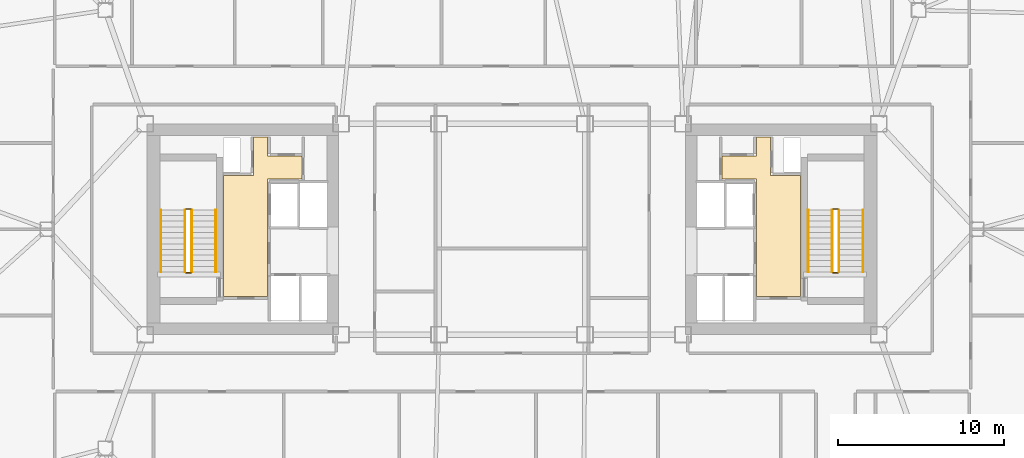
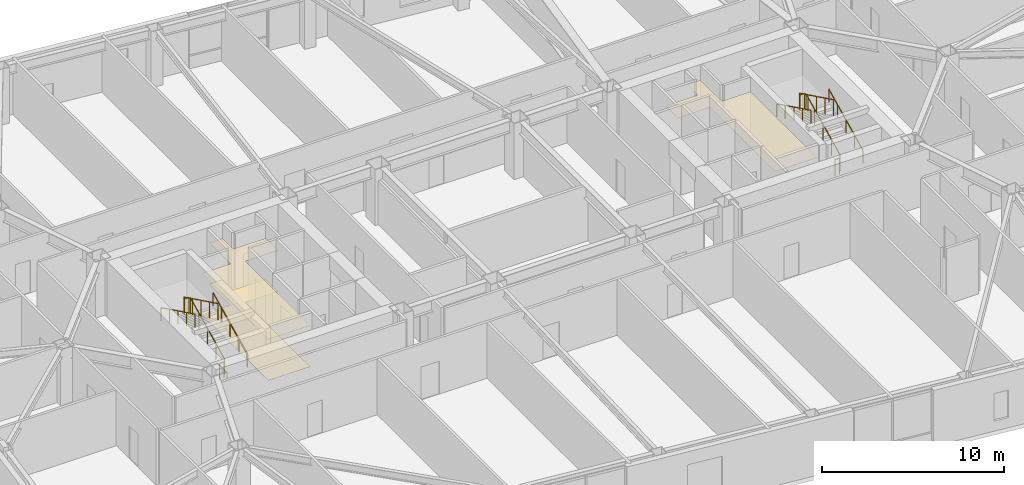
# One storey, part 23 of 23: 12 railings, 3 coverings.
"""IFC4 building model written with IfcOpenShell, lengths in metres."""

from ifc_helpers import new_model, si_unit, direction, frame, origin, origin_2d, place, context, subcontext, project, spatial, polyline, rectangle, outline, extrude, material, layer, layer_set, type_object, element, save


model = new_model("IFC4")

# Units and contexts
model_context = context("Model", 3, precision=1e-05, world=origin(), true_north=direction((0.0, 1.0)))
body_context = subcontext(model_context, "Body", "Model", "MODEL_VIEW")
ifc_project = project(units=[si_unit("LENGTHUNIT", "METRE"), si_unit("AREAUNIT", "SQUARE_METRE"), si_unit("VOLUMEUNIT", "CUBIC_METRE"), si_unit("PLANEANGLEUNIT", "RADIAN"), si_unit("MASSUNIT", "GRAM", prefix="KILO")], contexts=[model_context])

# Site, building, storey
site_placement = place(None, origin())
site = spatial("IfcSite", under=ifc_project, at=site_placement, CompositionType="ELEMENT")
building_placement = place(site_placement, origin())
building = spatial("IfcBuilding", under=site, at=building_placement, Name="Tavrogorsk Clinical Tower", CompositionType="ELEMENT")
storey_placement = place(building_placement, frame((0.0, 0.0, 113.39990234375)))
storey = spatial("IfcBuildingStorey", under=building, at=storey_placement, Name="L25", CompositionType="ELEMENT", Elevation=113.39990234375)

# Coverings
ifc_material_1 = material(Name="Antibacterial micro-perforated aluminium ceiling", Category="aluminium")
ifc_layer_1 = layer(ifc_material_1, 0.014892578125)
ifc_layer_set_1 = layer_set([ifc_layer_1], Name="Antibacterial micro-perforated aluminium ceiling")
covering_type_1 = type_object("IfcCoveringType", Name="ClinicalCeiling_15", PredefinedType="CEILING", material=ifc_layer_set_1)
covering_1_placement = place(storey_placement, frame((0.0, 0.0, 2.75)))
element("IfcCovering", 1, at=covering_1_placement, inside=storey, type_object=covering_type_1, Name="Core West Firefighting Lift Lobby Acoustic Ceiling", PredefinedType="CEILING", context=body_context, shape_type="SweptSolid", body=[
    extrude(outline(polyline([(-17.3798828125, -4.06005859375), (-17.3798828125, 3.239990234375), (-15.56005859375, 3.239990234375), (-15.56005859375, 5.56005859375), (-14.719970703125, 5.56005859375), (-14.719970703125, 4.39990234375), (-12.659912109375, 4.39990234375), (-12.659912109375, 3.0400390625), (-14.719970703125, 3.0400390625), (-14.719970703125, -4.06005859375), (-17.3798828125, -4.06005859375)])), origin(), (0.0, 0.0, 1.0), 0.01513671875),
])
covering_2_placement = place(storey_placement, frame((0.0, 0.0, 2.75)))
element("IfcCovering", 2, at=covering_2_placement, inside=storey, type_object=covering_type_1, Name="Core East Firefighting Lift Lobby Acoustic Ceiling", PredefinedType="CEILING", context=body_context, shape_type="SweptSolid", body=[
    extrude(outline(polyline([(14.719970703125, 3.0400390625), (12.659912109375, 3.0400390625), (12.659912109375, 4.39990234375), (14.719970703125, 4.39990234375), (14.719970703125, 5.56005859375), (15.56005859375, 5.56005859375), (15.56005859375, 3.239990234375), (17.3798828125, 3.239990234375), (17.3798828125, -4.06005859375), (14.719970703125, -4.06005859375), (14.719970703125, 3.0400390625)])), origin(), (0.0, 0.0, 1.0), 0.01513671875),
])
ifc_material_2 = material(Name="Homogeneous medical conductive PVC flooring")
ifc_layer_2 = layer(ifc_material_2, 0.008056640625)
ifc_layer_set_2 = layer_set([ifc_layer_2], Name="Homogeneous medical conductive PVC flooring")
covering_type_2 = type_object("IfcCoveringType", Name="ResilientVinylFloor_8", PredefinedType="FLOORING", material=ifc_layer_set_2)
covering_3_placement = place(storey_placement, origin())
element("IfcCovering", 3, at=covering_3_placement, inside=storey, type_object=covering_type_2, Name="Core West Firefighting Lift Lobby Conductive Vinyl Flooring", PredefinedType="FLOORING", context=body_context, shape_type="SweptSolid", body=[
    extrude(outline(polyline([(-17.3798828125, -4.06005859375), (-17.3798828125, 3.239990234375), (-15.56005859375, 3.239990234375), (-15.56005859375, 5.56005859375), (-14.719970703125, 5.56005859375), (-14.719970703125, 4.39990234375), (-12.659912109375, 4.39990234375), (-12.659912109375, 3.0400390625), (-14.719970703125, 3.0400390625), (-14.719970703125, -4.06005859375), (-17.3798828125, -4.06005859375)])), origin(), (0.0, 0.0, 1.0), 0.008056640625),
])

# Railings
ifc_material_3 = material(Name="Galvanised steel S355 safety stairwell guard", Category="steel")
ifc_layer_3 = layer(ifc_material_3, 0.06005859375)
ifc_layer_set_3 = layer_set([ifc_layer_3], Name="Galvanised steel S355 safety stairwell guard")
railing_type_1 = type_object("IfcRailingType", Name="StairGuard_1150", PredefinedType="GUARDRAIL", material=ifc_layer_set_3)
railing_1_placement = place(storey_placement, frame((-19.300048828125, -2.574951171875, 0.166748046875)))
element("IfcRailing", 4, at=railing_1_placement, inside=storey, type_object=railing_type_1, Name="L25 ST-W stair guard 1", PredefinedType="GUARDRAIL", context=body_context, shape_type="SweptSolid", body=[
    extrude(rectangle(XDim=0.048095703125, YDim=0.048095703125, at=origin_2d()), frame((0.0, 0.0, 1.076171875), z_axis=(0.0, 0.897927990467, 0.440142390523), x_axis=(-1.0, 0.0, 0.0)), (0.0, 0.0, 1.0), 4.1650390625),
    extrude(rectangle(XDim=0.0419921875, YDim=0.0419921875, at=origin_2d()), origin(), (0.0, 0.0, 1.0), 1.052001953125),
    extrude(rectangle(XDim=0.0419921875, YDim=0.0419921875, at=origin_2d()), frame((0.0, 0.93505859375, 0.458251953125)), (0.0, 0.0, 1.0), 1.052001953125),
    extrude(rectangle(XDim=0.0419921875, YDim=0.0419921875, at=origin_2d()), frame((0.0, 1.8701171875, 0.91650390625)), (0.0, 0.0, 1.0), 1.052001953125),
    extrude(rectangle(XDim=0.0419921875, YDim=0.0419921875, at=origin_2d()), frame((0.0, 2.804931640625, 1.375)), (0.0, 0.0, 1.0), 1.052001953125),
    extrude(rectangle(XDim=0.0419921875, YDim=0.0419921875, at=origin_2d()), frame((0.0, 3.739990234375, 1.833251953125)), (0.0, 0.0, 1.0), 1.052001953125),
])
railing_2_placement = place(storey_placement, frame((-19.35009765625, 1.215087890625, 2.0)))
element("IfcRailing", 5, at=railing_2_placement, inside=storey, type_object=railing_type_1, Name="L25 ST-W stair guard 2", PredefinedType="GUARDRAIL", context=body_context, shape_type="SweptSolid", body=[
    extrude(rectangle(XDim=0.048095703125, YDim=0.048095703125, at=origin_2d()), frame((0.0, 0.0, 1.076171875), z_axis=(-1.0, 0.0, 0.0), x_axis=(0.0, -1.0, 0.0)), (0.0, 0.0, 1.0), 0.2998046875),
    extrude(rectangle(XDim=0.0419921875, YDim=0.0419921875, at=origin_2d()), origin(), (0.0, 0.0, 1.0), 1.052001953125),
    extrude(rectangle(XDim=0.0419921875, YDim=0.0419921875, at=origin_2d()), frame((-0.2998046875, 0.0, 0.0)), (0.0, 0.0, 1.0), 1.052001953125),
])
railing_3_placement = place(storey_placement, frame((-19.699951171875, 1.1650390625, 2.166748046875)))
element("IfcRailing", 6, at=railing_3_placement, inside=storey, type_object=railing_type_1, Name="L25 ST-W stair guard 3", PredefinedType="GUARDRAIL", context=body_context, shape_type="SweptSolid", body=[
    extrude(rectangle(XDim=0.048095703125, YDim=0.048095703125, at=origin_2d()), frame((0.0, 0.0, 1.076171875), z_axis=(0.0, -0.897927990467, 0.440142390523), x_axis=(1.0, 0.0, 0.0)), (0.0, 0.0, 1.0), 4.1650390625),
    extrude(rectangle(XDim=0.0419921875, YDim=0.0419921875, at=origin_2d()), origin(), (0.0, 0.0, 1.0), 1.052001953125),
    extrude(rectangle(XDim=0.0419921875, YDim=0.0419921875, at=origin_2d()), frame((0.0, -0.93505859375, 0.458251953125)), (0.0, 0.0, 1.0), 1.052001953125),
    extrude(rectangle(XDim=0.0419921875, YDim=0.0419921875, at=origin_2d()), frame((0.0, -1.8701171875, 0.91650390625)), (0.0, 0.0, 1.0), 1.052001953125),
    extrude(rectangle(XDim=0.0419921875, YDim=0.0419921875, at=origin_2d()), frame((0.0, -2.804931640625, 1.375)), (0.0, 0.0, 1.0), 1.052001953125),
    extrude(rectangle(XDim=0.0419921875, YDim=0.0419921875, at=origin_2d()), frame((0.0, -3.739990234375, 1.833251953125)), (0.0, 0.0, 1.0), 1.052001953125),
])
railing_4_placement = place(storey_placement, frame((-19.35009765625, -2.625, 0.0)))
element("IfcRailing", 7, at=railing_4_placement, inside=storey, type_object=railing_type_1, Name="L25 ST-W stair guard 4", PredefinedType="GUARDRAIL", context=body_context, shape_type="SweptSolid", body=[
    extrude(rectangle(XDim=0.048095703125, YDim=0.048095703125, at=origin_2d()), frame((0.0, 0.0, 1.076171875), z_axis=(-1.0, 0.0, 0.0), x_axis=(0.0, -1.0, 0.0)), (0.0, 0.0, 1.0), 0.2998046875),
    extrude(rectangle(XDim=0.0419921875, YDim=0.0419921875, at=origin_2d()), origin(), (0.0, 0.0, 1.0), 1.052001953125),
    extrude(rectangle(XDim=0.0419921875, YDim=0.0419921875, at=origin_2d()), frame((-0.2998046875, 0.0, 0.0)), (0.0, 0.0, 1.0), 1.052001953125),
])
railing_5_placement = place(storey_placement, frame((19.699951171875, -2.574951171875, 0.166748046875)))
element("IfcRailing", 8, at=railing_5_placement, inside=storey, type_object=railing_type_1, Name="L25 ST-E stair guard 1", PredefinedType="GUARDRAIL", context=body_context, shape_type="SweptSolid", body=[
    extrude(rectangle(XDim=0.048095703125, YDim=0.048095703125, at=origin_2d()), frame((0.0, 0.0, 1.076171875), z_axis=(0.0, 0.897927990467, 0.440142390523), x_axis=(-1.0, 0.0, 0.0)), (0.0, 0.0, 1.0), 4.1650390625),
    extrude(rectangle(XDim=0.0419921875, YDim=0.0419921875, at=origin_2d()), origin(), (0.0, 0.0, 1.0), 1.052001953125),
    extrude(rectangle(XDim=0.0419921875, YDim=0.0419921875, at=origin_2d()), frame((0.0, 0.93505859375, 0.458251953125)), (0.0, 0.0, 1.0), 1.052001953125),
    extrude(rectangle(XDim=0.0419921875, YDim=0.0419921875, at=origin_2d()), frame((0.0, 1.8701171875, 0.91650390625)), (0.0, 0.0, 1.0), 1.052001953125),
    extrude(rectangle(XDim=0.0419921875, YDim=0.0419921875, at=origin_2d()), frame((0.0, 2.804931640625, 1.375)), (0.0, 0.0, 1.0), 1.052001953125),
    extrude(rectangle(XDim=0.0419921875, YDim=0.0419921875, at=origin_2d()), frame((0.0, 3.739990234375, 1.833251953125)), (0.0, 0.0, 1.0), 1.052001953125),
])
railing_6_placement = place(storey_placement, frame((19.64990234375, 1.215087890625, 2.0)))
element("IfcRailing", 9, at=railing_6_placement, inside=storey, type_object=railing_type_1, Name="L25 ST-E stair guard 2", PredefinedType="GUARDRAIL", context=body_context, shape_type="SweptSolid", body=[
    extrude(rectangle(XDim=0.048095703125, YDim=0.048095703125, at=origin_2d()), frame((0.0, 0.0, 1.076171875), z_axis=(-1.0, 0.0, 0.0), x_axis=(0.0, -1.0, 0.0)), (0.0, 0.0, 1.0), 0.2998046875),
    extrude(rectangle(XDim=0.0419921875, YDim=0.0419921875, at=origin_2d()), origin(), (0.0, 0.0, 1.0), 1.052001953125),
    extrude(rectangle(XDim=0.0419921875, YDim=0.0419921875, at=origin_2d()), frame((-0.2998046875, 0.0, 0.0)), (0.0, 0.0, 1.0), 1.052001953125),
])
railing_7_placement = place(storey_placement, frame((19.300048828125, 1.1650390625, 2.166748046875)))
element("IfcRailing", 10, at=railing_7_placement, inside=storey, type_object=railing_type_1, Name="L25 ST-E stair guard 3", PredefinedType="GUARDRAIL", context=body_context, shape_type="SweptSolid", body=[
    extrude(rectangle(XDim=0.048095703125, YDim=0.048095703125, at=origin_2d()), frame((0.0, 0.0, 1.076171875), z_axis=(0.0, -0.897927990467, 0.440142390523), x_axis=(1.0, 0.0, 0.0)), (0.0, 0.0, 1.0), 4.1650390625),
    extrude(rectangle(XDim=0.0419921875, YDim=0.0419921875, at=origin_2d()), origin(), (0.0, 0.0, 1.0), 1.052001953125),
    extrude(rectangle(XDim=0.0419921875, YDim=0.0419921875, at=origin_2d()), frame((0.0, -0.93505859375, 0.458251953125)), (0.0, 0.0, 1.0), 1.052001953125),
    extrude(rectangle(XDim=0.0419921875, YDim=0.0419921875, at=origin_2d()), frame((0.0, -1.8701171875, 0.91650390625)), (0.0, 0.0, 1.0), 1.052001953125),
    extrude(rectangle(XDim=0.0419921875, YDim=0.0419921875, at=origin_2d()), frame((0.0, -2.804931640625, 1.375)), (0.0, 0.0, 1.0), 1.052001953125),
    extrude(rectangle(XDim=0.0419921875, YDim=0.0419921875, at=origin_2d()), frame((0.0, -3.739990234375, 1.833251953125)), (0.0, 0.0, 1.0), 1.052001953125),
])
railing_8_placement = place(storey_placement, frame((19.64990234375, -2.625, 0.0)))
element("IfcRailing", 11, at=railing_8_placement, inside=storey, type_object=railing_type_1, Name="L25 ST-E stair guard 4", PredefinedType="GUARDRAIL", context=body_context, shape_type="SweptSolid", body=[
    extrude(rectangle(XDim=0.048095703125, YDim=0.048095703125, at=origin_2d()), frame((0.0, 0.0, 1.076171875), z_axis=(-1.0, 0.0, 0.0), x_axis=(0.0, -1.0, 0.0)), (0.0, 0.0, 1.0), 0.2998046875),
    extrude(rectangle(XDim=0.0419921875, YDim=0.0419921875, at=origin_2d()), origin(), (0.0, 0.0, 1.0), 1.052001953125),
    extrude(rectangle(XDim=0.0419921875, YDim=0.0419921875, at=origin_2d()), frame((-0.2998046875, 0.0, 0.0)), (0.0, 0.0, 1.0), 1.052001953125),
])
ifc_material_4 = material(Name="Stainless steel AISI 304 tubular handrail", Category="steel")
ifc_layer_4 = layer(ifc_material_4, 0.050048828125)
ifc_layer_set_4 = layer_set([ifc_layer_4], Name="Stainless steel AISI 304 tubular handrail")
railing_type_2 = type_object("IfcRailingType", Name="StairHandrail_920", PredefinedType="HANDRAIL", material=ifc_layer_set_4)
railing_9_placement = place(storey_placement, frame((-17.85009765625, -2.574951171875, 0.166748046875)))
element("IfcRailing", 12, at=railing_9_placement, inside=storey, type_object=railing_type_2, Name="L25 ST-W stair handrail 1", PredefinedType="HANDRAIL", context=body_context, shape_type="SweptSolid", body=[
    extrude(rectangle(XDim=0.048095703125, YDim=0.048095703125, at=origin_2d()), frame((0.0, 0.0, 0.8759765625), z_axis=(0.0, 0.897927990467, 0.440142390523), x_axis=(-1.0, 0.0, 0.0)), (0.0, 0.0, 1.0), 4.1650390625),
    extrude(rectangle(XDim=0.0419921875, YDim=0.0419921875, at=origin_2d()), origin(), (0.0, 0.0, 1.0), 0.851806640625),
    extrude(rectangle(XDim=0.0419921875, YDim=0.0419921875, at=origin_2d()), frame((0.0, 0.93505859375, 0.458251953125)), (0.0, 0.0, 1.0), 0.851806640625),
    extrude(rectangle(XDim=0.0419921875, YDim=0.0419921875, at=origin_2d()), frame((0.0, 1.8701171875, 0.91650390625)), (0.0, 0.0, 1.0), 0.851806640625),
    extrude(rectangle(XDim=0.0419921875, YDim=0.0419921875, at=origin_2d()), frame((0.0, 2.804931640625, 1.375)), (0.0, 0.0, 1.0), 0.851806640625),
    extrude(rectangle(XDim=0.0419921875, YDim=0.0419921875, at=origin_2d()), frame((0.0, 3.739990234375, 1.833251953125)), (0.0, 0.0, 1.0), 0.851806640625),
])
railing_10_placement = place(storey_placement, frame((-21.14990234375, 1.1650390625, 2.166748046875)))
element("IfcRailing", 13, at=railing_10_placement, inside=storey, type_object=railing_type_2, Name="L25 ST-W stair handrail 2", PredefinedType="HANDRAIL", context=body_context, shape_type="SweptSolid", body=[
    extrude(rectangle(XDim=0.048095703125, YDim=0.048095703125, at=origin_2d()), frame((0.0, 0.0, 0.8759765625), z_axis=(0.0, -0.897927990467, 0.440142390523), x_axis=(1.0, 0.0, 0.0)), (0.0, 0.0, 1.0), 4.1650390625),
    extrude(rectangle(XDim=0.0419921875, YDim=0.0419921875, at=origin_2d()), origin(), (0.0, 0.0, 1.0), 0.851806640625),
    extrude(rectangle(XDim=0.0419921875, YDim=0.0419921875, at=origin_2d()), frame((0.0, -0.93505859375, 0.458251953125)), (0.0, 0.0, 1.0), 0.851806640625),
    extrude(rectangle(XDim=0.0419921875, YDim=0.0419921875, at=origin_2d()), frame((0.0, -1.8701171875, 0.91650390625)), (0.0, 0.0, 1.0), 0.851806640625),
    extrude(rectangle(XDim=0.0419921875, YDim=0.0419921875, at=origin_2d()), frame((0.0, -2.804931640625, 1.375)), (0.0, 0.0, 1.0), 0.851806640625),
    extrude(rectangle(XDim=0.0419921875, YDim=0.0419921875, at=origin_2d()), frame((0.0, -3.739990234375, 1.833251953125)), (0.0, 0.0, 1.0), 0.851806640625),
])
railing_11_placement = place(storey_placement, frame((21.14990234375, -2.574951171875, 0.166748046875)))
element("IfcRailing", 14, at=railing_11_placement, inside=storey, type_object=railing_type_2, Name="L25 ST-E stair handrail 1", PredefinedType="HANDRAIL", context=body_context, shape_type="SweptSolid", body=[
    extrude(rectangle(XDim=0.048095703125, YDim=0.048095703125, at=origin_2d()), frame((0.0, 0.0, 0.8759765625), z_axis=(0.0, 0.897927990467, 0.440142390523), x_axis=(-1.0, 0.0, 0.0)), (0.0, 0.0, 1.0), 4.1650390625),
    extrude(rectangle(XDim=0.0419921875, YDim=0.0419921875, at=origin_2d()), origin(), (0.0, 0.0, 1.0), 0.851806640625),
    extrude(rectangle(XDim=0.0419921875, YDim=0.0419921875, at=origin_2d()), frame((0.0, 0.93505859375, 0.458251953125)), (0.0, 0.0, 1.0), 0.851806640625),
    extrude(rectangle(XDim=0.0419921875, YDim=0.0419921875, at=origin_2d()), frame((0.0, 1.8701171875, 0.91650390625)), (0.0, 0.0, 1.0), 0.851806640625),
    extrude(rectangle(XDim=0.0419921875, YDim=0.0419921875, at=origin_2d()), frame((0.0, 2.804931640625, 1.375)), (0.0, 0.0, 1.0), 0.851806640625),
    extrude(rectangle(XDim=0.0419921875, YDim=0.0419921875, at=origin_2d()), frame((0.0, 3.739990234375, 1.833251953125)), (0.0, 0.0, 1.0), 0.851806640625),
])
railing_12_placement = place(storey_placement, frame((17.85009765625, 1.1650390625, 2.166748046875)))
element("IfcRailing", 15, at=railing_12_placement, inside=storey, type_object=railing_type_2, Name="L25 ST-E stair handrail 2", PredefinedType="HANDRAIL", context=body_context, shape_type="SweptSolid", body=[
    extrude(rectangle(XDim=0.048095703125, YDim=0.048095703125, at=origin_2d()), frame((0.0, 0.0, 0.8759765625), z_axis=(0.0, -0.897927990467, 0.440142390523), x_axis=(1.0, 0.0, 0.0)), (0.0, 0.0, 1.0), 4.1650390625),
    extrude(rectangle(XDim=0.0419921875, YDim=0.0419921875, at=origin_2d()), origin(), (0.0, 0.0, 1.0), 0.851806640625),
    extrude(rectangle(XDim=0.0419921875, YDim=0.0419921875, at=origin_2d()), frame((0.0, -0.93505859375, 0.458251953125)), (0.0, 0.0, 1.0), 0.851806640625),
    extrude(rectangle(XDim=0.0419921875, YDim=0.0419921875, at=origin_2d()), frame((0.0, -1.8701171875, 0.91650390625)), (0.0, 0.0, 1.0), 0.851806640625),
    extrude(rectangle(XDim=0.0419921875, YDim=0.0419921875, at=origin_2d()), frame((0.0, -2.804931640625, 1.375)), (0.0, 0.0, 1.0), 0.851806640625),
    extrude(rectangle(XDim=0.0419921875, YDim=0.0419921875, at=origin_2d()), frame((0.0, -3.739990234375, 1.833251953125)), (0.0, 0.0, 1.0), 0.851806640625),
])

save(model, "model.ifc")
